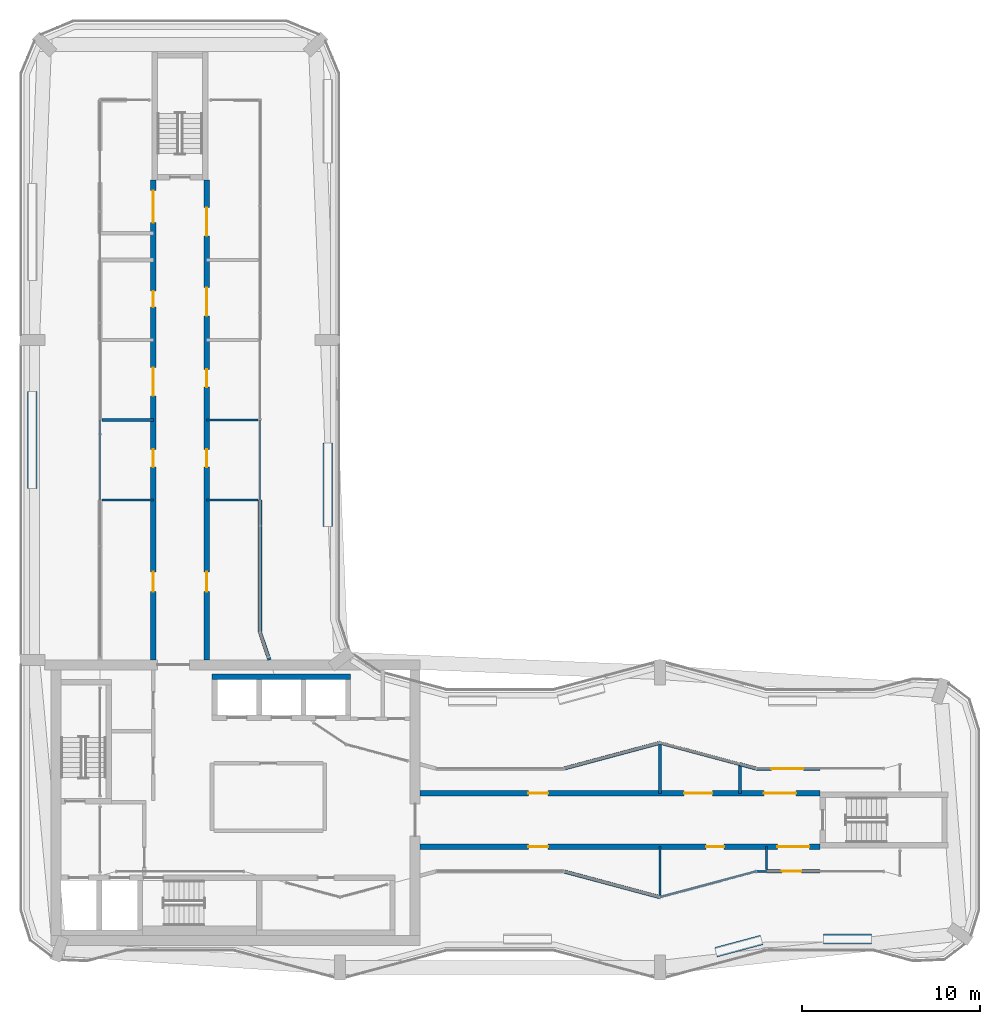
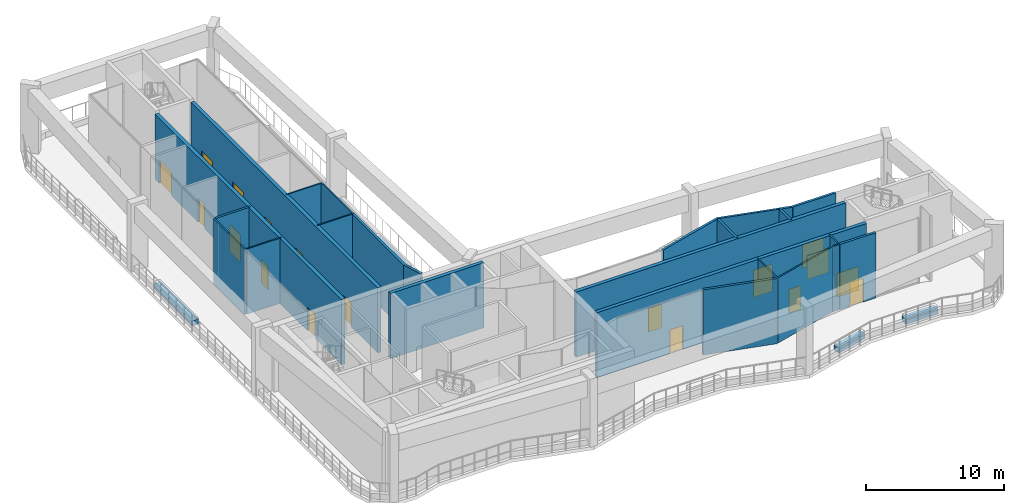
# One storey, part 11 of 17: 29 walls, 18 doors, 18 openings.
"""IFC4 building model written with IfcOpenShell, lengths in metres."""

from ifc_helpers import new_model, si_unit, direction, frame, frame_2d, origin, place, context, subcontext, project, spatial, rectangle, extrude, material, layer, layer_set, type_object, element, fill, save


model = new_model("IFC4")

# Units and contexts
model_context = context("Model", 3, precision=1e-05, world=origin(), true_north=direction((0.0, 1.0)))
body_context = subcontext(model_context, "Body", "Model", "MODEL_VIEW")
ifc_project = project(units=[si_unit("LENGTHUNIT", "METRE"), si_unit("AREAUNIT", "SQUARE_METRE"), si_unit("VOLUMEUNIT", "CUBIC_METRE"), si_unit("PLANEANGLEUNIT", "RADIAN"), si_unit("MASSUNIT", "GRAM", prefix="KILO")], contexts=[model_context])

# Site, building, storey
site_placement = place(None, origin())
site = spatial("IfcSite", under=ifc_project, at=site_placement, CompositionType="ELEMENT")
building_placement = place(site_placement, origin())
building = spatial("IfcBuilding", under=site, at=building_placement, Name="Plateau Cross Towers", CompositionType="ELEMENT")
storey_placement = place(building_placement, frame((0.0, 0.0, 184.89990234375)))
storey = spatial("IfcBuildingStorey", under=building, at=storey_placement, Name="L48", CompositionType="ELEMENT", Elevation=184.89990234375)

# Wall
ifc_material_1 = material(Name="Concrete C60/75", Category="concrete")
ifc_layer_1 = layer(ifc_material_1, 0.300048828125)
ifc_layer_set_1 = layer_set([ifc_layer_1], Name="Concrete C60/75")
wall_type_1 = type_object("IfcWallType", Name="Core shaft wall 300", PredefinedType="SHEAR", material=ifc_layer_set_1)
wall_1_placement = place(storey_placement, frame((10.800048828125, 17.050048828125, 0.0), z_axis=(0.0, 0.0, 1.0), x_axis=(1.0, 0.0, 0.0)))
element("IfcWall", 1, at=wall_1_placement, inside=storey, type_object=wall_type_1, Name="A-nb-back@L48", PredefinedType="SHEAR", context=body_context, shape_type="SweptSolid", body=[
    extrude(rectangle(XDim=7.800048828125, YDim=0.300048828125, at=frame_2d((3.89990234375, 0.0))), origin(), (0.0, 0.0, 1.0), 5.75),
])

# Wall, openings, doors
ifc_layer_2 = layer(ifc_material_1, 0.300048828125)
ifc_layer_set_2 = layer_set([ifc_layer_2], Name="Concrete C60/75")
wall_type_2 = type_object("IfcWallType", Name="Outrigger wall 300", PredefinedType="SHEAR", material=ifc_layer_set_2)
wall_2_placement = place(storey_placement, frame((22.5, 7.5, 0.0), z_axis=(0.0, 0.0, 1.0), x_axis=(1.0, 0.0, 0.0)))
wall_2 = element("IfcWall", 2, at=wall_2_placement, inside=storey, type_object=wall_type_2, Name="A-cw-S1@L48", PredefinedType="SHEAR", context=body_context, shape_type="SweptSolid", body=[
    extrude(rectangle(XDim=22.5, YDim=0.300048828125, at=frame_2d((11.25, 0.0))), origin(), (0.0, 0.0, 1.0), 5.75),
])
opening_1_placement = place(wall_2_placement, frame((20.10009765625, 0.0, 0.0)))
opening_1 = element("IfcOpeningElement", 3, at=opening_1_placement, cuts=wall_2, Name="Opening 48-01", PredefinedType="OPENING", context=body_context, shape_type="SweptSolid", body=[
    extrude(rectangle(XDim=1.800048828125, YDim=2.10009765625, at=frame_2d((0.89990234375, 1.050048828125))), frame((0.0, 0.159912109375, 0.0), z_axis=(0.0, -1.0, 0.0), x_axis=(1.0, 0.0, 0.0)), (0.0, 0.0, 1.0), 0.320068359375),
])
opening_2_placement = place(wall_2_placement, frame((6.10009765625, 0.0, 0.0)))
opening_2 = element("IfcOpeningElement", 4, at=opening_2_placement, cuts=wall_2, Name="Opening 48-04", PredefinedType="OPENING", context=body_context, shape_type="SweptSolid", body=[
    extrude(rectangle(XDim=1.10009765625, YDim=2.10009765625, at=frame_2d((0.550048828125, 1.050048828125))), frame((0.0, 0.159912109375, 0.0), z_axis=(0.0, -1.0, 0.0), x_axis=(1.0, 0.0, 0.0)), (0.0, 0.0, 1.0), 0.320068359375),
])
opening_3_placement = place(wall_2_placement, frame((16.10009765625, 0.0, 0.0)))
opening_3 = element("IfcOpeningElement", 5, at=opening_3_placement, cuts=wall_2, Name="Opening 48-05", PredefinedType="OPENING", context=body_context, shape_type="SweptSolid", body=[
    extrude(rectangle(XDim=1.0, YDim=2.10009765625, at=frame_2d((0.5, 1.050048828125))), frame((0.0, 0.159912109375, 0.0), z_axis=(0.0, -1.0, 0.0), x_axis=(1.0, 0.0, 0.0)), (0.0, 0.0, 1.0), 0.320068359375),
])
ifc_material_2 = material(Name="Timber leaf", Category="wood")
door_type_1 = type_object("IfcDoorType", Name="Podium clinic door 1000", OperationType="NOTDEFINED", PredefinedType="DOOR", material=ifc_material_2)
door_1_placement = place(opening_3_placement, origin())
door_1 = element("IfcDoor", 6, at=door_1_placement, inside=storey, type_object=door_type_1, Name="Door 48-05", OperationType="SINGLE_SWING_RIGHT", OverallHeight=2.10009765625, OverallWidth=1.0, PredefinedType="DOOR", context=body_context, shape_type="SweptSolid", body=[
    extrude(rectangle(XDim=1.0, YDim=2.10009765625, at=frame_2d((0.5, 1.050048828125))), frame((0.0, 0.02490234375, 0.0), z_axis=(0.0, -1.0, 0.0), x_axis=(1.0, 0.0, 0.0)), (0.0, 0.0, 1.0), 0.050048828125),
])
fill(opening_3, door_1)
ifc_material_3 = material(Name="Aluminium frame, toughened glass", Category="aluminium")
door_type_2 = type_object("IfcDoorType", Name="Podium door pair 1800", OperationType="NOTDEFINED", PredefinedType="DOOR", material=ifc_material_3)
door_2_placement = place(opening_1_placement, origin())
door_2 = element("IfcDoor", 7, at=door_2_placement, inside=storey, type_object=door_type_2, Name="Door 48-01", OperationType="DOUBLE_DOOR_SINGLE_SWING", OverallHeight=2.10009765625, OverallWidth=1.800048828125, PredefinedType="DOOR", context=body_context, shape_type="SweptSolid", body=[
    extrude(rectangle(XDim=1.800048828125, YDim=2.10009765625, at=frame_2d((0.89990234375, 1.050048828125))), frame((0.0, 0.02490234375, 0.0), z_axis=(0.0, -1.0, 0.0), x_axis=(1.0, 0.0, 0.0)), (0.0, 0.0, 1.0), 0.050048828125),
])
fill(opening_1, door_2)
ifc_material_4 = material(Name="Timber, fire-resisting leaf", Category="wood")
door_type_3 = type_object("IfcDoorType", Name="Podium fire door 1100", OperationType="NOTDEFINED", PredefinedType="DOOR", material=ifc_material_4)
door_3_placement = place(opening_2_placement, origin())
door_3 = element("IfcDoor", 8, at=door_3_placement, inside=storey, type_object=door_type_3, Name="Door 48-04", OperationType="SINGLE_SWING_LEFT", OverallHeight=2.10009765625, OverallWidth=1.10009765625, PredefinedType="DOOR", context=body_context, shape_type="SweptSolid", body=[
    extrude(rectangle(XDim=1.10009765625, YDim=2.10009765625, at=frame_2d((0.550048828125, 1.050048828125))), frame((0.0, 0.02490234375, 0.0), z_axis=(0.0, -1.0, 0.0), x_axis=(1.0, 0.0, 0.0)), (0.0, 0.0, 1.0), 0.050048828125),
])
fill(opening_2, door_3)

wall_3_placement = place(storey_placement, frame((22.5, 10.5, 0.0), z_axis=(0.0, 0.0, 1.0), x_axis=(1.0, 0.0, 0.0)))
wall_3 = element("IfcWall", 9, at=wall_3_placement, inside=storey, type_object=wall_type_2, Name="A-cw-S2@L48", PredefinedType="SHEAR", context=body_context, shape_type="SweptSolid", body=[
    extrude(rectangle(XDim=22.5, YDim=0.300048828125, at=frame_2d((11.25, 0.0))), origin(), (0.0, 0.0, 1.0), 5.75),
])
opening_4_placement = place(wall_3_placement, frame((6.10009765625, 0.0, 0.0)))
opening_4 = element("IfcOpeningElement", 10, at=opening_4_placement, cuts=wall_3, Name="Opening 48-06", PredefinedType="OPENING", context=body_context, shape_type="SweptSolid", body=[
    extrude(rectangle(XDim=1.10009765625, YDim=2.10009765625, at=frame_2d((0.550048828125, 1.050048828125))), frame((0.0, 0.159912109375, 0.0), z_axis=(0.0, -1.0, 0.0), x_axis=(1.0, 0.0, 0.0)), (0.0, 0.0, 1.0), 0.320068359375),
])
opening_5_placement = place(wall_3_placement, frame((14.85009765625, 0.0, 0.0)))
opening_5 = element("IfcOpeningElement", 11, at=opening_5_placement, cuts=wall_3, Name="Opening 48-07", PredefinedType="OPENING", context=body_context, shape_type="SweptSolid", body=[
    extrude(rectangle(XDim=1.60009765625, YDim=2.39990234375, at=frame_2d((0.800048828125, 1.199951171875))), frame((0.0, 0.159912109375, 0.0), z_axis=(0.0, -1.0, 0.0), x_axis=(1.0, 0.0, 0.0)), (0.0, 0.0, 1.0), 0.320068359375),
])
opening_6_placement = place(wall_3_placement, frame((19.35009765625, 0.0, 0.0)))
opening_6 = element("IfcOpeningElement", 12, at=opening_6_placement, cuts=wall_3, Name="Opening 48-19", PredefinedType="OPENING", context=body_context, shape_type="SweptSolid", body=[
    extrude(rectangle(XDim=1.800048828125, YDim=2.10009765625, at=frame_2d((0.89990234375, 1.050048828125))), frame((0.0, 0.159912109375, 0.0), z_axis=(0.0, -1.0, 0.0), x_axis=(1.0, 0.0, 0.0)), (0.0, 0.0, 1.0), 0.320068359375),
])
ifc_material_5 = material(Name="Steel, fire-resisting double leaf with louvre panel", Category="steel")
door_type_4 = type_object("IfcDoorType", Name="Plant room double door 1600x2400", OperationType="NOTDEFINED", PredefinedType="DOOR", material=ifc_material_5)
door_4_placement = place(opening_5_placement, origin())
door_4 = element("IfcDoor", 13, at=door_4_placement, inside=storey, type_object=door_type_4, Name="Door 48-07", OperationType="SINGLE_SWING_RIGHT", OverallHeight=2.39990234375, OverallWidth=1.60009765625, PredefinedType="DOOR", context=body_context, shape_type="SweptSolid", body=[
    extrude(rectangle(XDim=1.60009765625, YDim=2.39990234375, at=frame_2d((0.800048828125, 1.199951171875))), frame((0.0, 0.02490234375, 0.0), z_axis=(0.0, -1.0, 0.0), x_axis=(1.0, 0.0, 0.0)), (0.0, 0.0, 1.0), 0.050048828125),
])
fill(opening_5, door_4)
door_5_placement = place(opening_6_placement, origin())
door_5 = element("IfcDoor", 14, at=door_5_placement, inside=storey, type_object=door_type_2, Name="Door 48-19", OperationType="DOUBLE_DOOR_SINGLE_SWING", OverallHeight=2.10009765625, OverallWidth=1.800048828125, PredefinedType="DOOR", context=body_context, shape_type="SweptSolid", body=[
    extrude(rectangle(XDim=1.800048828125, YDim=2.10009765625, at=frame_2d((0.89990234375, 1.050048828125))), frame((0.0, 0.02490234375, 0.0), z_axis=(0.0, -1.0, 0.0), x_axis=(1.0, 0.0, 0.0)), (0.0, 0.0, 1.0), 0.050048828125),
])
fill(opening_6, door_5)
door_6_placement = place(opening_4_placement, origin())
door_6 = element("IfcDoor", 15, at=door_6_placement, inside=storey, type_object=door_type_3, Name="Door 48-06", OperationType="SINGLE_SWING_LEFT", OverallHeight=2.10009765625, OverallWidth=1.10009765625, PredefinedType="DOOR", context=body_context, shape_type="SweptSolid", body=[
    extrude(rectangle(XDim=1.10009765625, YDim=2.10009765625, at=frame_2d((0.550048828125, 1.050048828125))), frame((0.0, 0.02490234375, 0.0), z_axis=(0.0, -1.0, 0.0), x_axis=(1.0, 0.0, 0.0)), (0.0, 0.0, 1.0), 0.050048828125),
])
fill(opening_4, door_6)

wall_4_placement = place(storey_placement, frame((7.5, 18.0, 0.0), z_axis=(0.0, 0.0, 1.0), x_axis=(0.0, 1.0, 0.0)))
wall_4 = element("IfcWall", 16, at=wall_4_placement, inside=storey, type_object=wall_type_2, Name="A-cw-W1@L48", PredefinedType="SHEAR", context=body_context, shape_type="SweptSolid", body=[
    extrude(rectangle(XDim=27.0, YDim=0.300048828125, at=frame_2d((13.5, 0.0))), origin(), (0.0, 0.0, 1.0), 5.75),
])
opening_7_placement = place(wall_4_placement, frame((24.60009765625, 0.0, 0.0)))
opening_7 = element("IfcOpeningElement", 17, at=opening_7_placement, cuts=wall_4, Name="Opening 48-03", PredefinedType="OPENING", context=body_context, shape_type="SweptSolid", body=[
    extrude(rectangle(XDim=1.800048828125, YDim=2.10009765625, at=frame_2d((0.89990234375, 1.050048828125))), frame((0.0, 0.159912109375, 0.0), z_axis=(0.0, -1.0, 0.0), x_axis=(1.0, 0.0, 0.0)), (0.0, 0.0, 1.0), 0.320068359375),
])
opening_8_placement = place(wall_4_placement, frame((3.85009765625, 0.0, 0.0)))
opening_8 = element("IfcOpeningElement", 18, at=opening_8_placement, cuts=wall_4, Name="Opening 48-08", PredefinedType="OPENING", context=body_context, shape_type="SweptSolid", body=[
    extrude(rectangle(XDim=1.10009765625, YDim=2.10009765625, at=frame_2d((0.550048828125, 1.050048828125))), frame((0.0, 0.159912109375, 0.0), z_axis=(0.0, -1.0, 0.0), x_axis=(1.0, 0.0, 0.0)), (0.0, 0.0, 1.0), 0.320068359375),
])
opening_9_placement = place(wall_4_placement, frame((10.85009765625, 0.0, 0.0)))
opening_9 = element("IfcOpeningElement", 19, at=opening_9_placement, cuts=wall_4, Name="Opening 48-09", PredefinedType="OPENING", context=body_context, shape_type="SweptSolid", body=[
    extrude(rectangle(XDim=1.0, YDim=2.10009765625, at=frame_2d((0.5, 1.050048828125))), frame((0.0, 0.159912109375, 0.0), z_axis=(0.0, -1.0, 0.0), x_axis=(1.0, 0.0, 0.0)), (0.0, 0.0, 1.0), 0.320068359375),
])
opening_10_placement = place(wall_4_placement, frame((14.85009765625, 0.0, 0.0)))
opening_10 = element("IfcOpeningElement", 20, at=opening_10_placement, cuts=wall_4, Name="Opening 48-10", PredefinedType="OPENING", context=body_context, shape_type="SweptSolid", body=[
    extrude(rectangle(XDim=1.60009765625, YDim=2.39990234375, at=frame_2d((0.800048828125, 1.199951171875))), frame((0.0, 0.159912109375, 0.0), z_axis=(0.0, -1.0, 0.0), x_axis=(1.0, 0.0, 0.0)), (0.0, 0.0, 1.0), 0.320068359375),
])
opening_11_placement = place(wall_4_placement, frame((19.85009765625, 0.0, 0.0)))
opening_11 = element("IfcOpeningElement", 21, at=opening_11_placement, cuts=wall_4, Name="Opening 48-11", PredefinedType="OPENING", context=body_context, shape_type="SweptSolid", body=[
    extrude(rectangle(XDim=0.89990234375, YDim=2.10009765625, at=frame_2d((0.449951171875, 1.050048828125))), frame((0.0, 0.159912109375, 0.0), z_axis=(0.0, -1.0, 0.0), x_axis=(1.0, 0.0, 0.0)), (0.0, 0.0, 1.0), 0.320068359375),
])
door_7_placement = place(opening_10_placement, origin())
door_7 = element("IfcDoor", 22, at=door_7_placement, inside=storey, type_object=door_type_4, Name="Door 48-10", OperationType="SINGLE_SWING_RIGHT", OverallHeight=2.39990234375, OverallWidth=1.60009765625, PredefinedType="DOOR", context=body_context, shape_type="SweptSolid", body=[
    extrude(rectangle(XDim=1.60009765625, YDim=2.39990234375, at=frame_2d((0.800048828125, 1.199951171875))), frame((0.0, 0.02490234375, 0.0), z_axis=(0.0, -1.0, 0.0), x_axis=(1.0, 0.0, 0.0)), (0.0, 0.0, 1.0), 0.050048828125),
])
fill(opening_10, door_7)
door_8_placement = place(opening_9_placement, origin())
door_8 = element("IfcDoor", 23, at=door_8_placement, inside=storey, type_object=door_type_1, Name="Door 48-09", OperationType="SINGLE_SWING_LEFT", OverallHeight=2.10009765625, OverallWidth=1.0, PredefinedType="DOOR", context=body_context, shape_type="SweptSolid", body=[
    extrude(rectangle(XDim=1.0, YDim=2.10009765625, at=frame_2d((0.5, 1.050048828125))), frame((0.0, 0.02490234375, 0.0), z_axis=(0.0, -1.0, 0.0), x_axis=(1.0, 0.0, 0.0)), (0.0, 0.0, 1.0), 0.050048828125),
])
fill(opening_9, door_8)
door_9_placement = place(opening_7_placement, origin())
door_9 = element("IfcDoor", 24, at=door_9_placement, inside=storey, type_object=door_type_2, Name="Door 48-03", OperationType="DOUBLE_DOOR_SINGLE_SWING", OverallHeight=2.10009765625, OverallWidth=1.800048828125, PredefinedType="DOOR", context=body_context, shape_type="SweptSolid", body=[
    extrude(rectangle(XDim=1.800048828125, YDim=2.10009765625, at=frame_2d((0.89990234375, 1.050048828125))), frame((0.0, 0.02490234375, 0.0), z_axis=(0.0, -1.0, 0.0), x_axis=(1.0, 0.0, 0.0)), (0.0, 0.0, 1.0), 0.050048828125),
])
fill(opening_7, door_9)
door_10_placement = place(opening_8_placement, origin())
door_10 = element("IfcDoor", 25, at=door_10_placement, inside=storey, type_object=door_type_3, Name="Door 48-08", OperationType="SINGLE_SWING_LEFT", OverallHeight=2.10009765625, OverallWidth=1.10009765625, PredefinedType="DOOR", context=body_context, shape_type="SweptSolid", body=[
    extrude(rectangle(XDim=1.10009765625, YDim=2.10009765625, at=frame_2d((0.550048828125, 1.050048828125))), frame((0.0, 0.02490234375, 0.0), z_axis=(0.0, -1.0, 0.0), x_axis=(1.0, 0.0, 0.0)), (0.0, 0.0, 1.0), 0.050048828125),
])
fill(opening_8, door_10)
door_type_5 = type_object("IfcDoorType", Name="Podium service door 900", OperationType="NOTDEFINED", PredefinedType="DOOR", material=ifc_material_4)
door_11_placement = place(opening_11_placement, origin())
door_11 = element("IfcDoor", 26, at=door_11_placement, inside=storey, type_object=door_type_5, Name="Door 48-11", OperationType="SINGLE_SWING_RIGHT", OverallHeight=2.10009765625, OverallWidth=0.89990234375, PredefinedType="DOOR", context=body_context, shape_type="SweptSolid", body=[
    extrude(rectangle(XDim=0.89990234375, YDim=2.10009765625, at=frame_2d((0.449951171875, 1.050048828125))), frame((0.0, 0.02490234375, 0.0), z_axis=(0.0, -1.0, 0.0), x_axis=(1.0, 0.0, 0.0)), (0.0, 0.0, 1.0), 0.050048828125),
])
fill(opening_11, door_11)

wall_5_placement = place(storey_placement, frame((10.5, 18.0, 0.0), z_axis=(0.0, 0.0, 1.0), x_axis=(0.0, 1.0, 0.0)))
wall_5 = element("IfcWall", 27, at=wall_5_placement, inside=storey, type_object=wall_type_2, Name="A-cw-W2@L48", PredefinedType="SHEAR", context=body_context, shape_type="SweptSolid", body=[
    extrude(rectangle(XDim=27.0, YDim=0.300048828125, at=frame_2d((13.5, 0.0))), origin(), (0.0, 0.0, 1.0), 5.75),
])
opening_12_placement = place(wall_5_placement, frame((3.85009765625, 0.0, 0.0)))
opening_12 = element("IfcOpeningElement", 28, at=opening_12_placement, cuts=wall_5, Name="Opening 48-12", PredefinedType="OPENING", context=body_context, shape_type="SweptSolid", body=[
    extrude(rectangle(XDim=1.10009765625, YDim=2.10009765625, at=frame_2d((0.550048828125, 1.050048828125))), frame((0.0, 0.159912109375, 0.0), z_axis=(0.0, -1.0, 0.0), x_axis=(1.0, 0.0, 0.0)), (0.0, 0.0, 1.0), 0.320068359375),
])
opening_13_placement = place(wall_5_placement, frame((10.85009765625, 0.0, 0.0)))
opening_13 = element("IfcOpeningElement", 29, at=opening_13_placement, cuts=wall_5, Name="Opening 48-13", PredefinedType="OPENING", context=body_context, shape_type="SweptSolid", body=[
    extrude(rectangle(XDim=1.0, YDim=2.10009765625, at=frame_2d((0.5, 1.050048828125))), frame((0.0, 0.159912109375, 0.0), z_axis=(0.0, -1.0, 0.0), x_axis=(1.0, 0.0, 0.0)), (0.0, 0.0, 1.0), 0.320068359375),
])
opening_14_placement = place(wall_5_placement, frame((15.35009765625, 0.0, 0.0)))
opening_14 = element("IfcOpeningElement", 30, at=opening_14_placement, cuts=wall_5, Name="Opening 48-14", PredefinedType="OPENING", context=body_context, shape_type="SweptSolid", body=[
    extrude(rectangle(XDim=1.0, YDim=2.10009765625, at=frame_2d((0.5, 1.050048828125))), frame((0.0, 0.159912109375, 0.0), z_axis=(0.0, -1.0, 0.0), x_axis=(1.0, 0.0, 0.0)), (0.0, 0.0, 1.0), 0.320068359375),
])
opening_15_placement = place(wall_5_placement, frame((19.35009765625, 0.0, 0.0)))
opening_15 = element("IfcOpeningElement", 31, at=opening_15_placement, cuts=wall_5, Name="Opening 48-15", PredefinedType="OPENING", context=body_context, shape_type="SweptSolid", body=[
    extrude(rectangle(XDim=1.60009765625, YDim=2.39990234375, at=frame_2d((0.800048828125, 1.199951171875))), frame((0.0, 0.159912109375, 0.0), z_axis=(0.0, -1.0, 0.0), x_axis=(1.0, 0.0, 0.0)), (0.0, 0.0, 1.0), 0.320068359375),
])
opening_16_placement = place(wall_5_placement, frame((23.85009765625, 0.0, 0.0)))
opening_16 = element("IfcOpeningElement", 32, at=opening_16_placement, cuts=wall_5, Name="Opening 48-16", PredefinedType="OPENING", context=body_context, shape_type="SweptSolid", body=[
    extrude(rectangle(XDim=1.60009765625, YDim=2.39990234375, at=frame_2d((0.800048828125, 1.199951171875))), frame((0.0, 0.159912109375, 0.0), z_axis=(0.0, -1.0, 0.0), x_axis=(1.0, 0.0, 0.0)), (0.0, 0.0, 1.0), 0.320068359375),
])
door_12_placement = place(opening_15_placement, origin())
door_12 = element("IfcDoor", 33, at=door_12_placement, inside=storey, type_object=door_type_4, Name="Door 48-15", OperationType="SINGLE_SWING_RIGHT", OverallHeight=2.39990234375, OverallWidth=1.60009765625, PredefinedType="DOOR", context=body_context, shape_type="SweptSolid", body=[
    extrude(rectangle(XDim=1.60009765625, YDim=2.39990234375, at=frame_2d((0.800048828125, 1.199951171875))), frame((0.0, 0.02490234375, 0.0), z_axis=(0.0, -1.0, 0.0), x_axis=(1.0, 0.0, 0.0)), (0.0, 0.0, 1.0), 0.050048828125),
])
fill(opening_15, door_12)
door_13_placement = place(opening_16_placement, origin())
door_13 = element("IfcDoor", 34, at=door_13_placement, inside=storey, type_object=door_type_4, Name="Door 48-16", OperationType="SINGLE_SWING_RIGHT", OverallHeight=2.39990234375, OverallWidth=1.60009765625, PredefinedType="DOOR", context=body_context, shape_type="SweptSolid", body=[
    extrude(rectangle(XDim=1.60009765625, YDim=2.39990234375, at=frame_2d((0.800048828125, 1.199951171875))), frame((0.0, 0.02490234375, 0.0), z_axis=(0.0, -1.0, 0.0), x_axis=(1.0, 0.0, 0.0)), (0.0, 0.0, 1.0), 0.050048828125),
])
fill(opening_16, door_13)
door_14_placement = place(opening_13_placement, origin())
door_14 = element("IfcDoor", 35, at=door_14_placement, inside=storey, type_object=door_type_1, Name="Door 48-13", OperationType="SINGLE_SWING_LEFT", OverallHeight=2.10009765625, OverallWidth=1.0, PredefinedType="DOOR", context=body_context, shape_type="SweptSolid", body=[
    extrude(rectangle(XDim=1.0, YDim=2.10009765625, at=frame_2d((0.5, 1.050048828125))), frame((0.0, 0.02490234375, 0.0), z_axis=(0.0, -1.0, 0.0), x_axis=(1.0, 0.0, 0.0)), (0.0, 0.0, 1.0), 0.050048828125),
])
fill(opening_13, door_14)
door_15_placement = place(opening_14_placement, origin())
door_15 = element("IfcDoor", 36, at=door_15_placement, inside=storey, type_object=door_type_1, Name="Door 48-14", OperationType="SINGLE_SWING_RIGHT", OverallHeight=2.10009765625, OverallWidth=1.0, PredefinedType="DOOR", context=body_context, shape_type="SweptSolid", body=[
    extrude(rectangle(XDim=1.0, YDim=2.10009765625, at=frame_2d((0.5, 1.050048828125))), frame((0.0, 0.02490234375, 0.0), z_axis=(0.0, -1.0, 0.0), x_axis=(1.0, 0.0, 0.0)), (0.0, 0.0, 1.0), 0.050048828125),
])
fill(opening_14, door_15)
door_16_placement = place(opening_12_placement, origin())
door_16 = element("IfcDoor", 37, at=door_16_placement, inside=storey, type_object=door_type_3, Name="Door 48-12", OperationType="SINGLE_SWING_LEFT", OverallHeight=2.10009765625, OverallWidth=1.10009765625, PredefinedType="DOOR", context=body_context, shape_type="SweptSolid", body=[
    extrude(rectangle(XDim=1.10009765625, YDim=2.10009765625, at=frame_2d((0.550048828125, 1.050048828125))), frame((0.0, 0.02490234375, 0.0), z_axis=(0.0, -1.0, 0.0), x_axis=(1.0, 0.0, 0.0)), (0.0, 0.0, 1.0), 0.050048828125),
])
fill(opening_12, door_16)

# Walls
ifc_material_6 = material(Name="Dense masonry block, plastered, acoustic lining", Category="masonry")
ifc_layer_3 = layer(ifc_material_6, 0.179931640625)
ifc_layer_set_3 = layer_set([ifc_layer_3], Name="Dense masonry block, plastered, acoustic lining")
wall_type_3 = type_object("IfcWallType", Name="Plant room acoustic wall 180", PredefinedType="PARTITIONING", material=ifc_layer_set_3)
wall_6_placement = place(storey_placement, frame((40.5, 12.135986328125, 0.0), z_axis=(0.0, 0.0, 1.0), x_axis=(-0.965963018817, 0.258680200786, 0.0)))
element("IfcWall", 38, at=wall_6_placement, inside=storey, type_object=wall_type_3, Name="Partition wall", PredefinedType="PARTITIONING", context=body_context, shape_type="SweptSolid", body=[
    extrude(rectangle(XDim=4.658447265625, YDim=0.179931640625, at=frame_2d((2.3291015625, 0.0))), origin(), (0.0, 0.0, 1.0), 5.75),
])
wall_7_placement = place(storey_placement, frame((4.60009765625, 31.5, 0.0), z_axis=(0.0, 0.0, 1.0), x_axis=(1.0, 0.0, 0.0)))
element("IfcWall", 39, at=wall_7_placement, inside=storey, type_object=wall_type_3, Name="Partition wall", PredefinedType="PARTITIONING", context=body_context, shape_type="SweptSolid", body=[
    extrude(rectangle(XDim=2.89990234375, YDim=0.179931640625, at=frame_2d((1.449951171875, 0.0))), origin(), (0.0, 0.0, 1.0), 5.75),
])
wall_8_placement = place(storey_placement, frame((36.0, 13.237060546875, 0.0), z_axis=(0.0, 0.0, 1.0), x_axis=(0.0, -1.0, 0.0)))
element("IfcWall", 40, at=wall_8_placement, inside=storey, type_object=wall_type_3, Name="Partition wall", PredefinedType="PARTITIONING", context=body_context, shape_type="SweptSolid", body=[
    extrude(rectangle(XDim=2.737060546875, YDim=0.179931640625, at=frame_2d((1.36865234375, 0.0))), origin(), (0.0, 0.0, 1.0), 5.75),
])
wall_9_placement = place(storey_placement, frame((40.5, 10.5, 0.0), z_axis=(0.0, 0.0, 1.0), x_axis=(0.0, 1.0, 0.0)))
element("IfcWall", 41, at=wall_9_placement, inside=storey, type_object=wall_type_3, Name="Partition wall", PredefinedType="PARTITIONING", context=body_context, shape_type="SweptSolid", body=[
    extrude(rectangle(XDim=1.635986328125, YDim=0.179931640625, at=frame_2d((0.81787109375, 0.0))), origin(), (0.0, 0.0, 1.0), 5.75),
])
ifc_material_7 = material(Name="Concrete C30/37", Category="concrete")
ifc_layer_4 = layer(ifc_material_7, 0.550048828125)
ifc_layer_set_4 = layer_set([ifc_layer_4], Name="Concrete C30/37")
wall_type_4 = type_object("IfcWallType", Name="Planter upstand 550", PredefinedType="STANDARD", material=ifc_layer_set_4)
wall_10_placement = place(storey_placement, frame((0.695068359375, 27.638916015625, 0.0), z_axis=(0.0, 0.0, 1.0), x_axis=(0.0, 1.0, 0.0)))
element("IfcWall", 42, at=wall_10_placement, inside=storey, type_object=wall_type_4, Name="Planter 1", PredefinedType="STANDARD", context=body_context, shape_type="SweptSolid", body=[
    extrude(rectangle(XDim=5.455810546875, YDim=0.550048828125, at=frame_2d((2.72802734375, 0.0))), origin(), (0.0, 0.0, 1.0), 0.4501953125),
])
wall_11_placement = place(storey_placement, frame((17.304931640625, 30.212158203125, 0.0), z_axis=(0.0, 0.0, 1.0), x_axis=(0.0, -1.0, 0.0)))
element("IfcWall", 43, at=wall_11_placement, inside=storey, type_object=wall_type_4, Name="Planter 4", PredefinedType="STANDARD", context=body_context, shape_type="SweptSolid", body=[
    extrude(rectangle(XDim=4.712158203125, YDim=0.550048828125, at=frame_2d((2.35595703125, 0.0))), origin(), (0.0, 0.0, 1.0), 0.4501953125),
])
wall_12_placement = place(storey_placement, frame((47.891357421875, 2.302001953125, 0.0), z_axis=(0.0, 0.0, 1.0), x_axis=(-1.0, 0.0, 0.0)))
element("IfcWall", 44, at=wall_12_placement, inside=storey, type_object=wall_type_4, Name="Planter 8", PredefinedType="STANDARD", context=body_context, shape_type="SweptSolid", body=[
    extrude(rectangle(XDim=2.69140625, YDim=0.550048828125, at=frame_2d((1.345703125, 0.0))), origin(), (0.0, 0.0, 1.0), 0.4501953125),
])
wall_13_placement = place(storey_placement, frame((41.71533203125, 2.250244140625, 0.0), z_axis=(0.0, 0.0, 1.0), x_axis=(-0.96595542878, -0.258708541821, 0.0)))
element("IfcWall", 45, at=wall_13_placement, inside=storey, type_object=wall_type_4, Name="Planter 9", PredefinedType="STANDARD", context=body_context, shape_type="SweptSolid", body=[
    extrude(rectangle(XDim=2.658447265625, YDim=0.550048828125, at=frame_2d((1.3291015625, 0.0))), origin(), (0.0, 0.0, 1.0), 0.4501953125),
])

# Wall, opening, door
ifc_material_8 = material(Name="Gypsum board on steel studs, two layers each side", Category="steel")
ifc_layer_5 = layer(ifc_material_8, 0.199951171875)
ifc_layer_set_5 = layer_set([ifc_layer_5], Name="Gypsum board on steel studs, two layers each side")
wall_type_5 = type_object("IfcWallType", Name="Podium compartment wall 200", PredefinedType="PARTITIONING", material=ifc_layer_set_5)
wall_14_placement = place(storey_placement, frame((42.0, 6.10693359375, 0.0), z_axis=(0.0, 0.0, 1.0), x_axis=(1.0, 0.0, 0.0)))
wall_14 = element("IfcWall", 46, at=wall_14_placement, inside=storey, type_object=wall_type_5, Name="Partition wall", PredefinedType="PARTITIONING", context=body_context, shape_type="SweptSolid", body=[
    extrude(rectangle(XDim=3.0, YDim=0.199951171875, at=frame_2d((1.5, 0.0))), origin(), (0.0, 0.0, 1.0), 5.75),
])
opening_17_placement = place(wall_14_placement, frame((0.85009765625, 0.0, 0.0)))
opening_17 = element("IfcOpeningElement", 47, at=opening_17_placement, cuts=wall_14, Name="Opening 48-02", PredefinedType="OPENING", context=body_context, shape_type="SweptSolid", body=[
    extrude(rectangle(XDim=1.10009765625, YDim=2.10009765625, at=frame_2d((0.550048828125, 1.050048828125))), frame((0.0, 0.10986328125, 0.0), z_axis=(0.0, -1.0, 0.0), x_axis=(1.0, 0.0, 0.0)), (0.0, 0.0, 1.0), 0.219970703125),
])
door_17_placement = place(opening_17_placement, origin())
door_17 = element("IfcDoor", 48, at=door_17_placement, inside=storey, type_object=door_type_3, Name="Door 48-02", OperationType="SINGLE_SWING_LEFT", OverallHeight=2.10009765625, OverallWidth=1.10009765625, PredefinedType="DOOR", context=body_context, shape_type="SweptSolid", body=[
    extrude(rectangle(XDim=1.10009765625, YDim=2.10009765625, at=frame_2d((0.550048828125, 1.050048828125))), frame((0.0, 0.02490234375, 0.0), z_axis=(0.0, -1.0, 0.0), x_axis=(1.0, 0.0, 0.0)), (0.0, 0.0, 1.0), 0.050048828125),
])
fill(opening_17, door_17)

# Walls
ifc_material_9 = material(Name="Gypsum board on steel studs", Category="steel")
ifc_layer_6 = layer(ifc_material_9, 0.199951171875)
ifc_layer_set_6 = layer_set([ifc_layer_6], Name="Gypsum board on steel studs")
wall_type_6 = type_object("IfcWallType", Name="Podium partition 200", PredefinedType="PARTITIONING", material=ifc_layer_set_6)
for number, where, z_axis, x_axis, name in (
    (49, (30.592041015625, 6.10693359375, 0.0), (0.0, 0.0, 1.0), (0.96597315334, -0.258642353504, 0.0), "Partition wall"),
    (50, (36.0, 13.341064453125, 0.0), (0.0, 0.0, 1.0), (-0.96597315334, -0.258642353504, 0.0), "Partition wall"),
):
    element("IfcWall", number, at=place(storey_placement, frame(where, z_axis=z_axis, x_axis=x_axis)), inside=storey, type_object=wall_type_6, Name=name, PredefinedType="PARTITIONING", context=body_context, shape_type="SweptSolid", body=[
        extrude(rectangle(XDim=5.598388671875, YDim=0.199951171875, at=frame_2d((2.79931640625, 0.0))), origin(), (0.0, 0.0, 1.0), 5.75),
    ])
wall_15_placement = place(storey_placement, frame((14.029052734375, 18.0, 0.0), z_axis=(0.0, 0.0, 1.0), x_axis=(-0.32133908787, 0.946964197109, 0.0)))
element("IfcWall", 51, at=wall_15_placement, inside=storey, type_object=wall_type_6, Name="Partition wall", PredefinedType="PARTITIONING", context=body_context, shape_type="SweptSolid", body=[
    extrude(rectangle(XDim=1.646484375, YDim=0.199951171875, at=frame_2d((0.8232421875, 0.0))), origin(), (0.0, 0.0, 1.0), 5.75),
])
wall_16_placement = place(storey_placement, frame((13.5, 19.55908203125, 0.0), z_axis=(0.0, 0.0, 1.0), x_axis=(0.0, 1.0, 0.0)))
element("IfcWall", 52, at=wall_16_placement, inside=storey, type_object=wall_type_6, Name="Partition wall", PredefinedType="PARTITIONING", context=body_context, shape_type="SweptSolid", body=[
    extrude(rectangle(XDim=7.44091796875, YDim=0.199951171875, at=frame_2d((3.720458984375, 0.0))), origin(), (0.0, 0.0, 1.0), 5.75),
])
wall_17_placement = place(storey_placement, frame((40.5, 12.135986328125, 0.0), z_axis=(0.0, 0.0, 1.0), x_axis=(0.96602336302, -0.258454758323, 0.0)))
element("IfcWall", 53, at=wall_17_placement, inside=storey, type_object=wall_type_6, Name="Partition wall", PredefinedType="PARTITIONING", context=body_context, shape_type="SweptSolid", body=[
    extrude(rectangle(XDim=0.93994140625, YDim=0.199951171875, at=frame_2d((0.469970703125, 0.0))), origin(), (0.0, 0.0, 1.0), 5.75),
])

# Wall, opening, door
wall_18_placement = place(storey_placement, frame((41.407958984375, 11.89306640625, 0.0), z_axis=(0.0, 0.0, 1.0), x_axis=(1.0, 0.0, 0.0)))
wall_18 = element("IfcWall", 54, at=wall_18_placement, inside=storey, type_object=wall_type_6, Name="Partition wall", PredefinedType="PARTITIONING", context=body_context, shape_type="SweptSolid", body=[
    extrude(rectangle(XDim=3.592041015625, YDim=0.199951171875, at=frame_2d((1.7958984375, 0.0))), origin(), (0.0, 0.0, 1.0), 5.75),
])
opening_18_placement = place(wall_18_placement, frame((0.85009765625, 0.0, 0.0)))
opening_18 = element("IfcOpeningElement", 55, at=opening_18_placement, cuts=wall_18, Name="Opening 48-18", PredefinedType="OPENING", context=body_context, shape_type="SweptSolid", body=[
    extrude(rectangle(XDim=1.800048828125, YDim=2.10009765625, at=frame_2d((0.89990234375, 1.050048828125))), frame((0.0, 0.10986328125, 0.0), z_axis=(0.0, -1.0, 0.0), x_axis=(1.0, 0.0, 0.0)), (0.0, 0.0, 1.0), 0.219970703125),
])
door_18_placement = place(opening_18_placement, origin())
door_18 = element("IfcDoor", 56, at=door_18_placement, inside=storey, type_object=door_type_2, Name="Door 48-18", OperationType="DOUBLE_DOOR_SINGLE_SWING", OverallHeight=2.10009765625, OverallWidth=1.800048828125, PredefinedType="DOOR", context=body_context, shape_type="SweptSolid", body=[
    extrude(rectangle(XDim=1.800048828125, YDim=2.10009765625, at=frame_2d((0.89990234375, 1.050048828125))), frame((0.0, 0.02490234375, 0.0), z_axis=(0.0, -1.0, 0.0), x_axis=(1.0, 0.0, 0.0)), (0.0, 0.0, 1.0), 0.050048828125),
])
fill(opening_18, door_18)

# Walls
ifc_material_10 = material(Name="Moisture-resistant board on steel studs, tiled one side", Category="steel")
ifc_layer_7 = layer(ifc_material_10, 0.1201171875)
ifc_layer_set_7 = layer_set([ifc_layer_7], Name="Moisture-resistant board on steel studs, tiled one side")
wall_type_7 = type_object("IfcWallType", Name="Sanitary partition 120", PredefinedType="PARTITIONING", material=ifc_layer_set_7)
wall_19_placement = place(storey_placement, frame((36.0, 4.658935546875, 0.0), z_axis=(0.0, 0.0, 1.0), x_axis=(0.96597315334, 0.258642353504, 0.0)))
element("IfcWall", 57, at=wall_19_placement, inside=storey, type_object=wall_type_7, Name="Partition wall", PredefinedType="PARTITIONING", context=body_context, shape_type="SweptSolid", body=[
    extrude(rectangle(XDim=5.598388671875, YDim=0.1201171875, at=frame_2d((2.79931640625, 0.0))), origin(), (0.0, 0.0, 1.0), 5.75),
])
wall_20_placement = place(storey_placement, frame((41.407958984375, 6.10693359375, 0.0), z_axis=(0.0, 0.0, 1.0), x_axis=(1.0, 0.0, 0.0)))
element("IfcWall", 58, at=wall_20_placement, inside=storey, type_object=wall_type_7, Name="Partition wall", PredefinedType="PARTITIONING", context=body_context, shape_type="SweptSolid", body=[
    extrude(rectangle(XDim=0.592041015625, YDim=0.1201171875, at=frame_2d((0.2958984375, 0.0))), origin(), (0.0, 0.0, 1.0), 5.75),
])
for number, where, z_axis, x_axis, name in (
    (59, (13.5, 27.0, 0.0), (0.0, 0.0, 1.0), (0.0, 1.0, 0.0), "Partition wall"),
    (60, (4.5, 31.5, 0.0), (0.0, 0.0, 1.0), (0.0, -1.0, 0.0), "Partition wall"),
):
    element("IfcWall", number, at=place(storey_placement, frame(where, z_axis=z_axis, x_axis=x_axis)), inside=storey, type_object=wall_type_7, Name=name, PredefinedType="PARTITIONING", context=body_context, shape_type="SweptSolid", body=[
        extrude(rectangle(XDim=4.5, YDim=0.1201171875, at=frame_2d((2.25, 0.0))), origin(), (0.0, 0.0, 1.0), 5.75),
    ])
for number, where, z_axis, x_axis, name in (
    (61, (4.60009765625, 27.0, 0.0), (0.0, 0.0, 1.0), (1.0, 0.0, 0.0), "Partition wall"),
    (62, (10.5, 27.0, 0.0), (0.0, 0.0, 1.0), (1.0, 0.0, 0.0), "Partition wall"),
    (63, (10.5, 31.5, 0.0), (0.0, 0.0, 1.0), (1.0, 0.0, 0.0), "Partition wall"),
):
    element("IfcWall", number, at=place(storey_placement, frame(where, z_axis=z_axis, x_axis=x_axis)), inside=storey, type_object=wall_type_7, Name=name, PredefinedType="PARTITIONING", context=body_context, shape_type="SweptSolid", body=[
        extrude(rectangle(XDim=2.89990234375, YDim=0.1201171875, at=frame_2d((1.449951171875, 0.0))), origin(), (0.0, 0.0, 1.0), 5.75),
    ])
wall_21_placement = place(storey_placement, frame((36.0, 7.5, 0.0), z_axis=(0.0, 0.0, 1.0), x_axis=(0.0, -1.0, 0.0)))
element("IfcWall", 64, at=wall_21_placement, inside=storey, type_object=wall_type_7, Name="Partition wall", PredefinedType="PARTITIONING", context=body_context, shape_type="SweptSolid", body=[
    extrude(rectangle(XDim=2.737060546875, YDim=0.1201171875, at=frame_2d((1.36865234375, 0.0))), origin(), (0.0, 0.0, 1.0), 5.75),
])
wall_22_placement = place(storey_placement, frame((42.0, 6.20703125, 0.0), z_axis=(0.0, 0.0, 1.0), x_axis=(0.0, 1.0, 0.0)))
element("IfcWall", 65, at=wall_22_placement, inside=storey, type_object=wall_type_7, Name="Partition wall", PredefinedType="PARTITIONING", context=body_context, shape_type="SweptSolid", body=[
    extrude(rectangle(XDim=1.29296875, YDim=0.1201171875, at=frame_2d((0.646484375, 0.0))), origin(), (0.0, 0.0, 1.0), 5.75),
])

save(model, "model.ifc")
